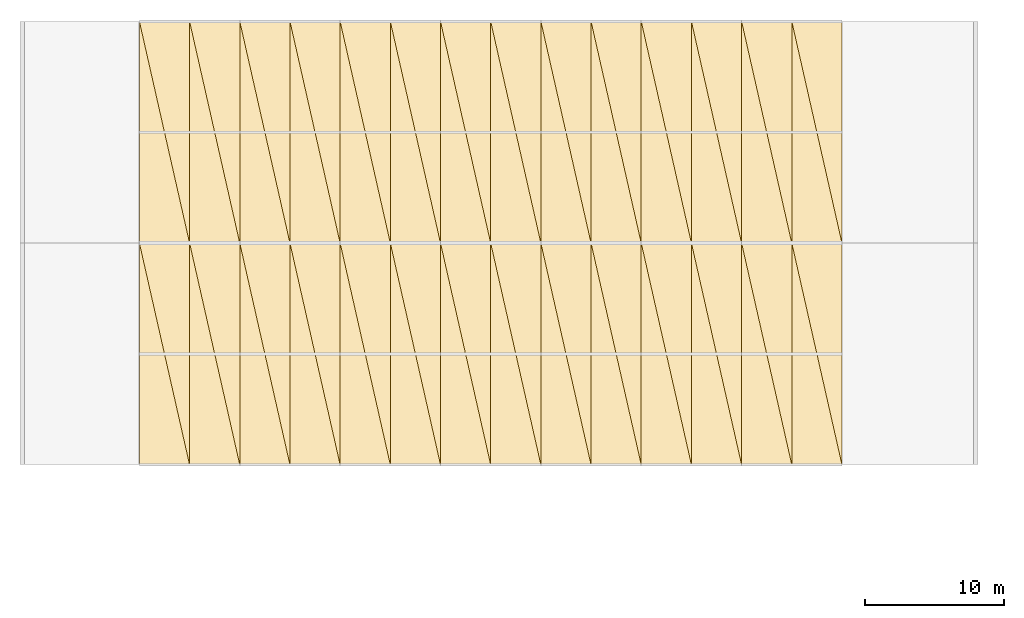
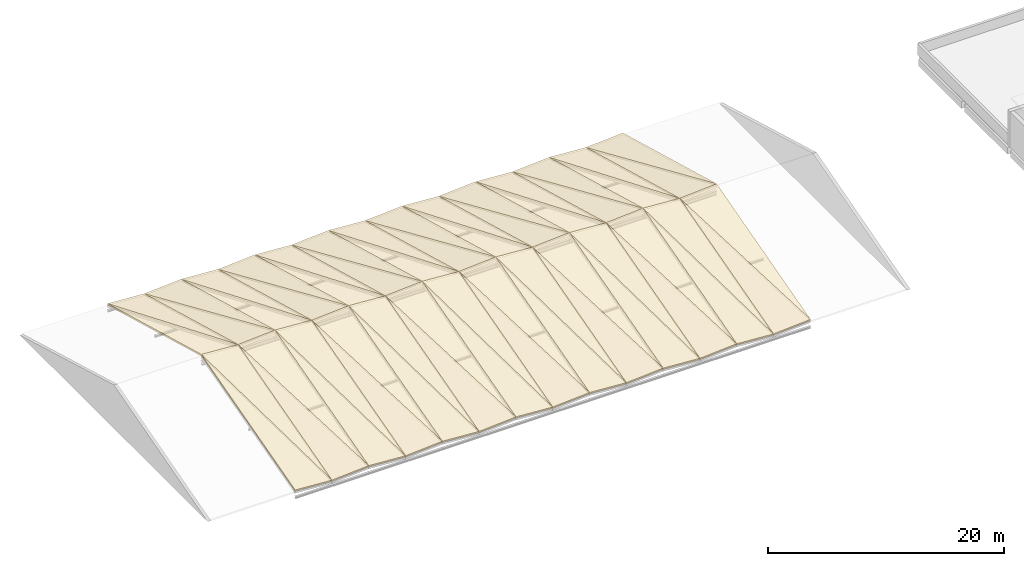
# One storey, part 5 of 6: 56 coverings.
"""IFC4 building model written with IfcOpenShell, lengths in metres."""

from ifc_helpers import new_model, si_unit, direction, frame, origin, place, context, subcontext, project, spatial, polyline, outline, extrude, material, layer, layer_set, type_object, element, save


model = new_model("IFC4")

# Units and contexts
model_context = context("Model", 3, precision=1e-05, world=origin(), true_north=direction((0.0, 1.0)))
body_context = subcontext(model_context, "Body", "Model", "MODEL_VIEW")
ifc_project = project(units=[si_unit("LENGTHUNIT", "METRE"), si_unit("AREAUNIT", "SQUARE_METRE"), si_unit("VOLUMEUNIT", "CUBIC_METRE"), si_unit("PLANEANGLEUNIT", "RADIAN"), si_unit("MASSUNIT", "GRAM", prefix="KILO")], contexts=[model_context])

# Site, building, storey
site_placement = place(None, origin())
site = spatial("IfcSite", under=ifc_project, at=site_placement, CompositionType="ELEMENT")
building_placement = place(site_placement, origin())
building = spatial("IfcBuilding", under=site, at=building_placement, Name="Pellamere Symphony Hall", CompositionType="ELEMENT")
storey_placement = place(building_placement, frame((0.0, 0.0, 28.5)))
storey = spatial("IfcBuildingStorey", under=building, at=storey_placement, Name="RF", CompositionType="ELEMENT", Elevation=28.5)

# Coverings
ifc_material = material(Name="Standing-Seam Pre-Weathered Zinc Acoustic Roof Assembly", Category="aluminium")
ifc_layer = layer(ifc_material, 0.159912109375, Name="Standing-Seam Pre-Weathered Zinc Acoustic Roof Assembly")
ifc_layer_set = layer_set([ifc_layer], Name="Standing-Seam Pre-Weathered Zinc Acoustic Roof Assembly")
covering_type = type_object("IfcCoveringType", Name="Envelope Covering RC-01 160mm", PredefinedType="ROOFING", material=ifc_layer_set)
covering_1_placement = place(storey_placement, frame((58.800048828125, 45.89990234375, 1.780029296875), z_axis=(0.064140420191, -0.265023524397, 0.962106302866), x_axis=(0.997785157857, 0.0, -0.066519010524)))
element("IfcCovering", 1, at=covering_1_placement, inside=storey, type_object=covering_type, Name="Standing-Seam Zinc Crystal Roof Cladding 1.5", PredefinedType="ROOFING", context=body_context, shape_type="SweptSolid", body=[
    extrude(outline(polyline([(0.0, 0.0), (3.6078443212745532, -1.3877787807814457e-17), (-0.29134547089758406, 16.489789249484154), (0.0, 0.0)])), origin(), (0.0, 0.0, -1.0), 0.159912109375),
])
covering_2_placement = place(storey_placement, frame((62.39990234375, 45.89990234375, 1.5400390625), z_axis=(0.064140420191, -0.265023524397, 0.962106302866), x_axis=(0.0, 0.964091479763, 0.265570364779)))
element("IfcCovering", 2, at=covering_2_placement, inside=storey, type_object=covering_type, Name="Standing-Seam Zinc Crystal Roof Cladding 1.6", PredefinedType="ROOFING", context=body_context, shape_type="SweptSolid", body=[
    extrude(outline(polyline([(0.0, 0.0), (16.49236282877064, 0.0), (16.556097122856947, 3.6072813289665056), (0.0, 0.0)])), origin(), (0.0, 0.0, -1.0), 0.159912109375),
])
covering_3_placement = place(storey_placement, frame((62.39990234375, 45.89990234375, 1.5400390625), z_axis=(-0.064136088401, -0.265023598334, 0.962106571275), x_axis=(0.997785457248, 0.0, 0.066514519495)))
element("IfcCovering", 3, at=covering_3_placement, inside=storey, type_object=covering_type, Name="Standing-Seam Zinc Crystal Roof Cladding 1.7", PredefinedType="ROOFING", context=body_context, shape_type="SweptSolid", body=[
    extrude(outline(polyline([(0.0, 0.0), (3.608087921203156, -1.3877787807814457e-17), (0.29132580071840347, 16.48978959700976), (0.0, 0.0)])), origin(), (0.0, 0.0, -1.0), 0.159912109375),
])
covering_4_placement = place(storey_placement, frame((66.0, 45.89990234375, 1.780029296875), z_axis=(-0.064136088401, -0.265023598334, 0.962106571275), x_axis=(0.0, 0.964091479763, 0.265570364779)))
element("IfcCovering", 4, at=covering_4_placement, inside=storey, type_object=covering_type, Name="Standing-Seam Zinc Crystal Roof Cladding 1.8", PredefinedType="ROOFING", context=body_context, shape_type="SweptSolid", body=[
    extrude(outline(polyline([(0.0, 0.0), (16.49236282877064, 0.0), (16.42862853468434, 3.607524966911446), (0.0, 0.0)])), origin(), (0.0, 0.0, -1.0), 0.159912109375),
])
covering_5_placement = place(storey_placement, frame((58.800048828125, 61.800048828125, 6.159912109375), z_axis=(0.064140351016, 0.265027307963, 0.962105265241), x_axis=(0.997785157857, 0.0, -0.066519010524)))
element("IfcCovering", 5, at=covering_5_placement, inside=storey, type_object=covering_type, Name="Standing-Seam Zinc Crystal Roof Cladding 1.9", PredefinedType="ROOFING", context=body_context, shape_type="SweptSolid", body=[
    extrude(outline(polyline([(0.0, 0.0), (3.6078443212745532, 1.3877787807814457e-17), (0.29134547089758406, 16.489553838979607), (0.0, 0.0)])), origin(), (0.0, 0.0, -1.0), 0.159912109375),
])
covering_6_placement = place(storey_placement, frame((62.39990234375, 61.800048828125, 5.919921875), z_axis=(0.064140351016, 0.265027307963, 0.962105265241), x_axis=(0.0, 0.964090435702, -0.265574154969)))
element("IfcCovering", 6, at=covering_6_placement, inside=storey, type_object=covering_type, Name="Standing-Seam Zinc Crystal Roof Cladding 1.10", PredefinedType="ROOFING", context=body_context, shape_type="SweptSolid", body=[
    extrude(outline(polyline([(0.0, 0.0), (16.492127455001665, 5.551115123125783e-17), (16.428392251306757, 3.607281312895213), (0.0, 0.0)])), origin(), (0.0, 0.0, -1.0), 0.159912109375),
])
covering_7_placement = place(storey_placement, frame((62.39990234375, 61.800048828125, 5.919921875), z_axis=(-0.064136019231, 0.265027381901, 0.96210553365), x_axis=(0.997785457248, 0.0, 0.066514519495)))
element("IfcCovering", 7, at=covering_7_placement, inside=storey, type_object=covering_type, Name="Standing-Seam Zinc Crystal Roof Cladding 1.11", PredefinedType="ROOFING", context=body_context, shape_type="SweptSolid", body=[
    extrude(outline(polyline([(0.0, 0.0), (3.608087921203156, 0.0), (-0.29132580071840347, 16.48955418651018), (0.0, 0.0)])), origin(), (0.0, 0.0, -1.0), 0.159912109375),
])
covering_8_placement = place(storey_placement, frame((66.0, 61.800048828125, 6.159912109375), z_axis=(-0.064136019231, 0.265027381901, 0.96210553365), x_axis=(0.0, 0.964090435702, -0.265574154969)))
element("IfcCovering", 8, at=covering_8_placement, inside=storey, type_object=covering_type, Name="Standing-Seam Zinc Crystal Roof Cladding 1.12", PredefinedType="ROOFING", context=body_context, shape_type="SweptSolid", body=[
    extrude(outline(polyline([(0.0, 0.0), (16.492127455001665, -5.551115123125783e-17), (16.555862658696572, 3.6075249508412384), (0.0, 0.0)])), origin(), (0.0, 0.0, -1.0), 0.159912109375),
])
covering_9_placement = place(storey_placement, frame((66.0, 45.89990234375, 1.780029296875), z_axis=(0.064136088401, -0.265023598334, 0.962106571275), x_axis=(0.997785457248, 0.0, -0.066514519495)))
element("IfcCovering", 9, at=covering_9_placement, inside=storey, type_object=covering_type, Name="Standing-Seam Zinc Crystal Roof Cladding 2.5", PredefinedType="ROOFING", context=body_context, shape_type="SweptSolid", body=[
    extrude(outline(polyline([(0.0, 0.0), (3.608087921203156, 1.3877787807814457e-17), (-0.29132580071840347, 16.48978959700976), (0.0, 0.0)])), origin(), (0.0, 0.0, -1.0), 0.159912109375),
])
covering_10_placement = place(storey_placement, frame((69.60009765625, 45.89990234375, 1.5400390625), z_axis=(0.064136088401, -0.265023598334, 0.962106571275), x_axis=(0.0, 0.964091479763, 0.265570364779)))
element("IfcCovering", 10, at=covering_10_placement, inside=storey, type_object=covering_type, Name="Standing-Seam Zinc Crystal Roof Cladding 2.6", PredefinedType="ROOFING", context=body_context, shape_type="SweptSolid", body=[
    extrude(outline(polyline([(0.0, 0.0), (16.49236282877064, 0.0), (16.556097122856947, 3.607524966911446), (0.0, 0.0)])), origin(), (0.0, 0.0, -1.0), 0.159912109375),
])
covering_11_placement = place(storey_placement, frame((69.60009765625, 45.89990234375, 1.5400390625), z_axis=(-0.064140420191, -0.265023524397, 0.962106302866), x_axis=(0.997785157857, 0.0, 0.066519010524)))
element("IfcCovering", 11, at=covering_11_placement, inside=storey, type_object=covering_type, Name="Standing-Seam Zinc Crystal Roof Cladding 2.7", PredefinedType="ROOFING", context=body_context, shape_type="SweptSolid", body=[
    extrude(outline(polyline([(0.0, 0.0), (3.6078443212745532, 1.3877787807814457e-17), (0.29134547089758406, 16.489789249484154), (0.0, 0.0)])), origin(), (0.0, 0.0, -1.0), 0.159912109375),
])
covering_12_placement = place(storey_placement, frame((73.199951171875, 45.89990234375, 1.780029296875), z_axis=(-0.064140420191, -0.265023524397, 0.962106302866), x_axis=(0.0, 0.964091479763, 0.265570364779)))
element("IfcCovering", 12, at=covering_12_placement, inside=storey, type_object=covering_type, Name="Standing-Seam Zinc Crystal Roof Cladding 2.8", PredefinedType="ROOFING", context=body_context, shape_type="SweptSolid", body=[
    extrude(outline(polyline([(0.0, 0.0), (16.49236282877064, 0.0), (16.42862853468434, 3.607281328966506), (0.0, 0.0)])), origin(), (0.0, 0.0, -1.0), 0.159912109375),
])
covering_13_placement = place(storey_placement, frame((66.0, 61.800048828125, 6.159912109375), z_axis=(0.064136019231, 0.265027381901, 0.96210553365), x_axis=(0.997785457248, 0.0, -0.066514519495)))
element("IfcCovering", 13, at=covering_13_placement, inside=storey, type_object=covering_type, Name="Standing-Seam Zinc Crystal Roof Cladding 2.9", PredefinedType="ROOFING", context=body_context, shape_type="SweptSolid", body=[
    extrude(outline(polyline([(0.0, 0.0), (3.608087921203156, 0.0), (0.29132580071840347, 16.48955418651018), (0.0, 0.0)])), origin(), (0.0, 0.0, -1.0), 0.159912109375),
])
covering_14_placement = place(storey_placement, frame((69.60009765625, 61.800048828125, 5.919921875), z_axis=(0.064136019231, 0.265027381901, 0.96210553365), x_axis=(0.0, 0.964090435702, -0.265574154969)))
element("IfcCovering", 14, at=covering_14_placement, inside=storey, type_object=covering_type, Name="Standing-Seam Zinc Crystal Roof Cladding 2.10", PredefinedType="ROOFING", context=body_context, shape_type="SweptSolid", body=[
    extrude(outline(polyline([(0.0, 0.0), (16.492127455001665, 5.551115123125783e-17), (16.428392251306757, 3.607524950841238), (0.0, 0.0)])), origin(), (0.0, 0.0, -1.0), 0.159912109375),
])
covering_15_placement = place(storey_placement, frame((69.60009765625, 61.800048828125, 5.919921875), z_axis=(-0.064140351016, 0.265027307963, 0.962105265241), x_axis=(0.997785157857, 0.0, 0.066519010524)))
element("IfcCovering", 15, at=covering_15_placement, inside=storey, type_object=covering_type, Name="Standing-Seam Zinc Crystal Roof Cladding 2.11", PredefinedType="ROOFING", context=body_context, shape_type="SweptSolid", body=[
    extrude(outline(polyline([(0.0, 0.0), (3.6078443212745532, -1.3877787807814457e-17), (-0.29134547089758406, 16.489553838979607), (0.0, 0.0)])), origin(), (0.0, 0.0, -1.0), 0.159912109375),
])
covering_16_placement = place(storey_placement, frame((73.199951171875, 61.800048828125, 6.159912109375), z_axis=(-0.064140351016, 0.265027307963, 0.962105265241), x_axis=(0.0, 0.964090435702, -0.265574154969)))
element("IfcCovering", 16, at=covering_16_placement, inside=storey, type_object=covering_type, Name="Standing-Seam Zinc Crystal Roof Cladding 2.12", PredefinedType="ROOFING", context=body_context, shape_type="SweptSolid", body=[
    extrude(outline(polyline([(0.0, 0.0), (16.492127455001665, -5.551115123125783e-17), (16.555862658696572, 3.6072813128952124), (0.0, 0.0)])), origin(), (0.0, 0.0, -1.0), 0.159912109375),
])
covering_17_placement = place(storey_placement, frame((73.199951171875, 45.89990234375, 1.780029296875), z_axis=(0.064136088401, -0.265023598334, 0.962106571275), x_axis=(0.997785457248, 0.0, -0.066514519495)))
element("IfcCovering", 17, at=covering_17_placement, inside=storey, type_object=covering_type, Name="Standing-Seam Zinc Crystal Roof Cladding 3.5", PredefinedType="ROOFING", context=body_context, shape_type="SweptSolid", body=[
    extrude(outline(polyline([(0.0, 0.0), (3.608087921203156, 1.3877787807814457e-17), (-0.29132580071840347, 16.48978959700976), (0.0, 0.0)])), origin(), (0.0, 0.0, -1.0), 0.159912109375),
])
covering_18_placement = place(storey_placement, frame((76.800048828125, 45.89990234375, 1.5400390625), z_axis=(0.064136088401, -0.265023598334, 0.962106571275), x_axis=(0.0, 0.964091479763, 0.265570364779)))
element("IfcCovering", 18, at=covering_18_placement, inside=storey, type_object=covering_type, Name="Standing-Seam Zinc Crystal Roof Cladding 3.6", PredefinedType="ROOFING", context=body_context, shape_type="SweptSolid", body=[
    extrude(outline(polyline([(0.0, 0.0), (16.49236282877064, 0.0), (16.556097122856947, 3.607524966911446), (0.0, 0.0)])), origin(), (0.0, 0.0, -1.0), 0.159912109375),
])
covering_19_placement = place(storey_placement, frame((76.800048828125, 45.89990234375, 1.5400390625), z_axis=(-0.064140420191, -0.265023524397, 0.962106302866), x_axis=(0.997785157857, 0.0, 0.066519010524)))
element("IfcCovering", 19, at=covering_19_placement, inside=storey, type_object=covering_type, Name="Standing-Seam Zinc Crystal Roof Cladding 3.7", PredefinedType="ROOFING", context=body_context, shape_type="SweptSolid", body=[
    extrude(outline(polyline([(0.0, 0.0), (3.6078443212745532, 1.3877787807814457e-17), (0.29134547089758406, 16.489789249484154), (0.0, 0.0)])), origin(), (0.0, 0.0, -1.0), 0.159912109375),
])
covering_20_placement = place(storey_placement, frame((80.39990234375, 45.89990234375, 1.780029296875), z_axis=(-0.064140420191, -0.265023524397, 0.962106302866), x_axis=(0.0, 0.964091479763, 0.265570364779)))
element("IfcCovering", 20, at=covering_20_placement, inside=storey, type_object=covering_type, Name="Standing-Seam Zinc Crystal Roof Cladding 3.8", PredefinedType="ROOFING", context=body_context, shape_type="SweptSolid", body=[
    extrude(outline(polyline([(0.0, 0.0), (16.49236282877064, 0.0), (16.42862853468434, 3.607281328966506), (0.0, 0.0)])), origin(), (0.0, 0.0, -1.0), 0.159912109375),
])
covering_21_placement = place(storey_placement, frame((73.199951171875, 61.800048828125, 6.159912109375), z_axis=(0.064136019231, 0.265027381901, 0.96210553365), x_axis=(0.997785457248, 0.0, -0.066514519495)))
element("IfcCovering", 21, at=covering_21_placement, inside=storey, type_object=covering_type, Name="Standing-Seam Zinc Crystal Roof Cladding 3.9", PredefinedType="ROOFING", context=body_context, shape_type="SweptSolid", body=[
    extrude(outline(polyline([(0.0, 0.0), (3.608087921203156, 0.0), (0.29132580071840347, 16.48955418651018), (0.0, 0.0)])), origin(), (0.0, 0.0, -1.0), 0.159912109375),
])
covering_22_placement = place(storey_placement, frame((76.800048828125, 61.800048828125, 5.919921875), z_axis=(0.064136019231, 0.265027381901, 0.96210553365), x_axis=(0.0, 0.964090435702, -0.265574154969)))
element("IfcCovering", 22, at=covering_22_placement, inside=storey, type_object=covering_type, Name="Standing-Seam Zinc Crystal Roof Cladding 3.10", PredefinedType="ROOFING", context=body_context, shape_type="SweptSolid", body=[
    extrude(outline(polyline([(0.0, 0.0), (16.492127455001665, 5.551115123125783e-17), (16.428392251306757, 3.607524950841238), (0.0, 0.0)])), origin(), (0.0, 0.0, -1.0), 0.159912109375),
])
covering_23_placement = place(storey_placement, frame((76.800048828125, 61.800048828125, 5.919921875), z_axis=(-0.064140351016, 0.265027307963, 0.962105265241), x_axis=(0.997785157857, 0.0, 0.066519010524)))
element("IfcCovering", 23, at=covering_23_placement, inside=storey, type_object=covering_type, Name="Standing-Seam Zinc Crystal Roof Cladding 3.11", PredefinedType="ROOFING", context=body_context, shape_type="SweptSolid", body=[
    extrude(outline(polyline([(0.0, 0.0), (3.6078443212745532, -1.3877787807814457e-17), (-0.29134547089758406, 16.489553838979607), (0.0, 0.0)])), origin(), (0.0, 0.0, -1.0), 0.159912109375),
])
covering_24_placement = place(storey_placement, frame((80.39990234375, 61.800048828125, 6.159912109375), z_axis=(-0.064140351016, 0.265027307963, 0.962105265241), x_axis=(0.0, 0.964090435702, -0.265574154969)))
element("IfcCovering", 24, at=covering_24_placement, inside=storey, type_object=covering_type, Name="Standing-Seam Zinc Crystal Roof Cladding 3.12", PredefinedType="ROOFING", context=body_context, shape_type="SweptSolid", body=[
    extrude(outline(polyline([(0.0, 0.0), (16.492127455001665, -5.551115123125783e-17), (16.555862658696572, 3.6072813128952124), (0.0, 0.0)])), origin(), (0.0, 0.0, -1.0), 0.159912109375),
])
covering_25_placement = place(storey_placement, frame((80.39990234375, 45.89990234375, 1.780029296875), z_axis=(0.064136088401, -0.265023598334, 0.962106571275), x_axis=(0.997785457248, 0.0, -0.066514519495)))
element("IfcCovering", 25, at=covering_25_placement, inside=storey, type_object=covering_type, Name="Standing-Seam Zinc Crystal Roof Cladding 4.5", PredefinedType="ROOFING", context=body_context, shape_type="SweptSolid", body=[
    extrude(outline(polyline([(0.0, 0.0), (3.608087921203156, 1.3877787807814457e-17), (-0.29132580071840347, 16.48978959700976), (0.0, 0.0)])), origin(), (0.0, 0.0, -1.0), 0.159912109375),
])
covering_26_placement = place(storey_placement, frame((84.0, 45.89990234375, 1.5400390625), z_axis=(0.064136088401, -0.265023598334, 0.962106571275), x_axis=(0.0, 0.964091479763, 0.265570364779)))
element("IfcCovering", 26, at=covering_26_placement, inside=storey, type_object=covering_type, Name="Standing-Seam Zinc Crystal Roof Cladding 4.6", PredefinedType="ROOFING", context=body_context, shape_type="SweptSolid", body=[
    extrude(outline(polyline([(0.0, 0.0), (16.49236282877064, 0.0), (16.556097122856947, 3.607524966911446), (0.0, 0.0)])), origin(), (0.0, 0.0, -1.0), 0.159912109375),
])
covering_27_placement = place(storey_placement, frame((84.0, 45.89990234375, 1.5400390625), z_axis=(-0.064136088401, -0.265023598334, 0.962106571275), x_axis=(0.997785457248, 0.0, 0.066514519495)))
element("IfcCovering", 27, at=covering_27_placement, inside=storey, type_object=covering_type, Name="Standing-Seam Zinc Crystal Roof Cladding 4.7", PredefinedType="ROOFING", context=body_context, shape_type="SweptSolid", body=[
    extrude(outline(polyline([(0.0, 0.0), (3.608087921203156, -1.3877787807814457e-17), (0.29132580071840347, 16.48978959700976), (0.0, 0.0)])), origin(), (0.0, 0.0, -1.0), 0.159912109375),
])
covering_28_placement = place(storey_placement, frame((87.60009765625, 45.89990234375, 1.780029296875), z_axis=(-0.064136088401, -0.265023598334, 0.962106571275), x_axis=(0.0, 0.964091479763, 0.265570364779)))
element("IfcCovering", 28, at=covering_28_placement, inside=storey, type_object=covering_type, Name="Standing-Seam Zinc Crystal Roof Cladding 4.8", PredefinedType="ROOFING", context=body_context, shape_type="SweptSolid", body=[
    extrude(outline(polyline([(0.0, 0.0), (16.49236282877064, 0.0), (16.42862853468434, 3.607524966911446), (0.0, 0.0)])), origin(), (0.0, 0.0, -1.0), 0.159912109375),
])
covering_29_placement = place(storey_placement, frame((80.39990234375, 61.800048828125, 6.159912109375), z_axis=(0.064136019231, 0.265027381901, 0.96210553365), x_axis=(0.997785457248, 0.0, -0.066514519495)))
element("IfcCovering", 29, at=covering_29_placement, inside=storey, type_object=covering_type, Name="Standing-Seam Zinc Crystal Roof Cladding 4.9", PredefinedType="ROOFING", context=body_context, shape_type="SweptSolid", body=[
    extrude(outline(polyline([(0.0, 0.0), (3.608087921203156, 0.0), (0.29132580071840347, 16.48955418651018), (0.0, 0.0)])), origin(), (0.0, 0.0, -1.0), 0.159912109375),
])
covering_30_placement = place(storey_placement, frame((84.0, 61.800048828125, 5.919921875), z_axis=(0.064136019231, 0.265027381901, 0.96210553365), x_axis=(0.0, 0.964090435702, -0.265574154969)))
element("IfcCovering", 30, at=covering_30_placement, inside=storey, type_object=covering_type, Name="Standing-Seam Zinc Crystal Roof Cladding 4.10", PredefinedType="ROOFING", context=body_context, shape_type="SweptSolid", body=[
    extrude(outline(polyline([(0.0, 0.0), (16.492127455001665, 5.551115123125783e-17), (16.428392251306757, 3.607524950841238), (0.0, 0.0)])), origin(), (0.0, 0.0, -1.0), 0.159912109375),
])
covering_31_placement = place(storey_placement, frame((84.0, 61.800048828125, 5.919921875), z_axis=(-0.064136019231, 0.265027381901, 0.96210553365), x_axis=(0.997785457248, 0.0, 0.066514519495)))
element("IfcCovering", 31, at=covering_31_placement, inside=storey, type_object=covering_type, Name="Standing-Seam Zinc Crystal Roof Cladding 4.11", PredefinedType="ROOFING", context=body_context, shape_type="SweptSolid", body=[
    extrude(outline(polyline([(0.0, 0.0), (3.608087921203156, 0.0), (-0.29132580071840347, 16.48955418651018), (0.0, 0.0)])), origin(), (0.0, 0.0, -1.0), 0.159912109375),
])
covering_32_placement = place(storey_placement, frame((87.60009765625, 61.800048828125, 6.159912109375), z_axis=(-0.064136019231, 0.265027381901, 0.96210553365), x_axis=(0.0, 0.964090435702, -0.265574154969)))
element("IfcCovering", 32, at=covering_32_placement, inside=storey, type_object=covering_type, Name="Standing-Seam Zinc Crystal Roof Cladding 4.12", PredefinedType="ROOFING", context=body_context, shape_type="SweptSolid", body=[
    extrude(outline(polyline([(0.0, 0.0), (16.492127455001665, -5.551115123125783e-17), (16.555862658696572, 3.6075249508412384), (0.0, 0.0)])), origin(), (0.0, 0.0, -1.0), 0.159912109375),
])
covering_33_placement = place(storey_placement, frame((87.60009765625, 45.89990234375, 1.780029296875), z_axis=(0.064140420191, -0.265023524397, 0.962106302866), x_axis=(0.997785157857, 0.0, -0.066519010524)))
element("IfcCovering", 33, at=covering_33_placement, inside=storey, type_object=covering_type, Name="Standing-Seam Zinc Crystal Roof Cladding 5.5", PredefinedType="ROOFING", context=body_context, shape_type="SweptSolid", body=[
    extrude(outline(polyline([(0.0, 0.0), (3.6078443212745532, -1.3877787807814457e-17), (-0.29134547089758406, 16.489789249484154), (0.0, 0.0)])), origin(), (0.0, 0.0, -1.0), 0.159912109375),
])
covering_34_placement = place(storey_placement, frame((91.199951171875, 45.89990234375, 1.5400390625), z_axis=(0.064140420191, -0.265023524397, 0.962106302866), x_axis=(0.0, 0.964091479763, 0.265570364779)))
element("IfcCovering", 34, at=covering_34_placement, inside=storey, type_object=covering_type, Name="Standing-Seam Zinc Crystal Roof Cladding 5.6", PredefinedType="ROOFING", context=body_context, shape_type="SweptSolid", body=[
    extrude(outline(polyline([(0.0, 0.0), (16.49236282877064, 0.0), (16.556097122856947, 3.6072813289665056), (0.0, 0.0)])), origin(), (0.0, 0.0, -1.0), 0.159912109375),
])
covering_35_placement = place(storey_placement, frame((91.199951171875, 45.89990234375, 1.5400390625), z_axis=(-0.064136088401, -0.265023598334, 0.962106571275), x_axis=(0.997785457248, 0.0, 0.066514519495)))
element("IfcCovering", 35, at=covering_35_placement, inside=storey, type_object=covering_type, Name="Standing-Seam Zinc Crystal Roof Cladding 5.7", PredefinedType="ROOFING", context=body_context, shape_type="SweptSolid", body=[
    extrude(outline(polyline([(0.0, 0.0), (3.608087921203156, -1.3877787807814457e-17), (0.29132580071840347, 16.48978959700976), (0.0, 0.0)])), origin(), (0.0, 0.0, -1.0), 0.159912109375),
])
covering_36_placement = place(storey_placement, frame((94.800048828125, 45.89990234375, 1.780029296875), z_axis=(-0.064136088401, -0.265023598334, 0.962106571275), x_axis=(0.0, 0.964091479763, 0.265570364779)))
element("IfcCovering", 36, at=covering_36_placement, inside=storey, type_object=covering_type, Name="Standing-Seam Zinc Crystal Roof Cladding 5.8", PredefinedType="ROOFING", context=body_context, shape_type="SweptSolid", body=[
    extrude(outline(polyline([(0.0, 0.0), (16.49236282877064, 0.0), (16.42862853468434, 3.607524966911446), (0.0, 0.0)])), origin(), (0.0, 0.0, -1.0), 0.159912109375),
])
covering_37_placement = place(storey_placement, frame((87.60009765625, 61.800048828125, 6.159912109375), z_axis=(0.064140351016, 0.265027307963, 0.962105265241), x_axis=(0.997785157857, 0.0, -0.066519010524)))
element("IfcCovering", 37, at=covering_37_placement, inside=storey, type_object=covering_type, Name="Standing-Seam Zinc Crystal Roof Cladding 5.9", PredefinedType="ROOFING", context=body_context, shape_type="SweptSolid", body=[
    extrude(outline(polyline([(0.0, 0.0), (3.6078443212745532, 1.3877787807814457e-17), (0.29134547089758406, 16.489553838979607), (0.0, 0.0)])), origin(), (0.0, 0.0, -1.0), 0.159912109375),
])
covering_38_placement = place(storey_placement, frame((91.199951171875, 61.800048828125, 5.919921875), z_axis=(0.064140351016, 0.265027307963, 0.962105265241), x_axis=(0.0, 0.964090435702, -0.265574154969)))
element("IfcCovering", 38, at=covering_38_placement, inside=storey, type_object=covering_type, Name="Standing-Seam Zinc Crystal Roof Cladding 5.10", PredefinedType="ROOFING", context=body_context, shape_type="SweptSolid", body=[
    extrude(outline(polyline([(0.0, 0.0), (16.492127455001665, 5.551115123125783e-17), (16.428392251306757, 3.607281312895213), (0.0, 0.0)])), origin(), (0.0, 0.0, -1.0), 0.159912109375),
])
covering_39_placement = place(storey_placement, frame((91.199951171875, 61.800048828125, 5.919921875), z_axis=(-0.064136019231, 0.265027381901, 0.96210553365), x_axis=(0.997785457248, 0.0, 0.066514519495)))
element("IfcCovering", 39, at=covering_39_placement, inside=storey, type_object=covering_type, Name="Standing-Seam Zinc Crystal Roof Cladding 5.11", PredefinedType="ROOFING", context=body_context, shape_type="SweptSolid", body=[
    extrude(outline(polyline([(0.0, 0.0), (3.608087921203156, 0.0), (-0.29132580071840347, 16.48955418651018), (0.0, 0.0)])), origin(), (0.0, 0.0, -1.0), 0.159912109375),
])
covering_40_placement = place(storey_placement, frame((94.800048828125, 61.800048828125, 6.159912109375), z_axis=(-0.064136019231, 0.265027381901, 0.96210553365), x_axis=(0.0, 0.964090435702, -0.265574154969)))
element("IfcCovering", 40, at=covering_40_placement, inside=storey, type_object=covering_type, Name="Standing-Seam Zinc Crystal Roof Cladding 5.12", PredefinedType="ROOFING", context=body_context, shape_type="SweptSolid", body=[
    extrude(outline(polyline([(0.0, 0.0), (16.492127455001665, -5.551115123125783e-17), (16.555862658696572, 3.6075249508412384), (0.0, 0.0)])), origin(), (0.0, 0.0, -1.0), 0.159912109375),
])
covering_41_placement = place(storey_placement, frame((94.800048828125, 45.89990234375, 1.780029296875), z_axis=(0.064140420191, -0.265023524397, 0.962106302866), x_axis=(0.997785157857, 0.0, -0.066519010524)))
element("IfcCovering", 41, at=covering_41_placement, inside=storey, type_object=covering_type, Name="Standing-Seam Zinc Crystal Roof Cladding 6.5", PredefinedType="ROOFING", context=body_context, shape_type="SweptSolid", body=[
    extrude(outline(polyline([(0.0, 0.0), (3.6078443212745532, -1.3877787807814457e-17), (-0.29134547089758406, 16.489789249484154), (0.0, 0.0)])), origin(), (0.0, 0.0, -1.0), 0.159912109375),
])
covering_42_placement = place(storey_placement, frame((98.39990234375, 45.89990234375, 1.5400390625), z_axis=(0.064140420191, -0.265023524397, 0.962106302866), x_axis=(0.0, 0.964091479763, 0.265570364779)))
element("IfcCovering", 42, at=covering_42_placement, inside=storey, type_object=covering_type, Name="Standing-Seam Zinc Crystal Roof Cladding 6.6", PredefinedType="ROOFING", context=body_context, shape_type="SweptSolid", body=[
    extrude(outline(polyline([(0.0, 0.0), (16.49236282877064, 0.0), (16.556097122856947, 3.6072813289665056), (0.0, 0.0)])), origin(), (0.0, 0.0, -1.0), 0.159912109375),
])
covering_43_placement = place(storey_placement, frame((98.39990234375, 45.89990234375, 1.5400390625), z_axis=(-0.064136088401, -0.265023598334, 0.962106571275), x_axis=(0.997785457248, 0.0, 0.066514519495)))
element("IfcCovering", 43, at=covering_43_placement, inside=storey, type_object=covering_type, Name="Standing-Seam Zinc Crystal Roof Cladding 6.7", PredefinedType="ROOFING", context=body_context, shape_type="SweptSolid", body=[
    extrude(outline(polyline([(0.0, 0.0), (3.608087921203156, -1.3877787807814457e-17), (0.29132580071840347, 16.48978959700976), (0.0, 0.0)])), origin(), (0.0, 0.0, -1.0), 0.159912109375),
])
covering_44_placement = place(storey_placement, frame((102.0, 45.89990234375, 1.780029296875), z_axis=(-0.064136088401, -0.265023598334, 0.962106571275), x_axis=(0.0, 0.964091479763, 0.265570364779)))
element("IfcCovering", 44, at=covering_44_placement, inside=storey, type_object=covering_type, Name="Standing-Seam Zinc Crystal Roof Cladding 6.8", PredefinedType="ROOFING", context=body_context, shape_type="SweptSolid", body=[
    extrude(outline(polyline([(0.0, 0.0), (16.49236282877064, 0.0), (16.42862853468434, 3.607524966911446), (0.0, 0.0)])), origin(), (0.0, 0.0, -1.0), 0.159912109375),
])
covering_45_placement = place(storey_placement, frame((94.800048828125, 61.800048828125, 6.159912109375), z_axis=(0.064140351016, 0.265027307963, 0.962105265241), x_axis=(0.997785157857, 0.0, -0.066519010524)))
element("IfcCovering", 45, at=covering_45_placement, inside=storey, type_object=covering_type, Name="Standing-Seam Zinc Crystal Roof Cladding 6.9", PredefinedType="ROOFING", context=body_context, shape_type="SweptSolid", body=[
    extrude(outline(polyline([(0.0, 0.0), (3.6078443212745532, 1.3877787807814457e-17), (0.29134547089758406, 16.489553838979607), (0.0, 0.0)])), origin(), (0.0, 0.0, -1.0), 0.159912109375),
])
covering_46_placement = place(storey_placement, frame((98.39990234375, 61.800048828125, 5.919921875), z_axis=(0.064140351016, 0.265027307963, 0.962105265241), x_axis=(0.0, 0.964090435702, -0.265574154969)))
element("IfcCovering", 46, at=covering_46_placement, inside=storey, type_object=covering_type, Name="Standing-Seam Zinc Crystal Roof Cladding 6.10", PredefinedType="ROOFING", context=body_context, shape_type="SweptSolid", body=[
    extrude(outline(polyline([(0.0, 0.0), (16.492127455001665, 5.551115123125783e-17), (16.428392251306757, 3.607281312895213), (0.0, 0.0)])), origin(), (0.0, 0.0, -1.0), 0.159912109375),
])
covering_47_placement = place(storey_placement, frame((98.39990234375, 61.800048828125, 5.919921875), z_axis=(-0.064136019231, 0.265027381901, 0.96210553365), x_axis=(0.997785457248, 0.0, 0.066514519495)))
element("IfcCovering", 47, at=covering_47_placement, inside=storey, type_object=covering_type, Name="Standing-Seam Zinc Crystal Roof Cladding 6.11", PredefinedType="ROOFING", context=body_context, shape_type="SweptSolid", body=[
    extrude(outline(polyline([(0.0, 0.0), (3.608087921203156, 0.0), (-0.29132580071840347, 16.48955418651018), (0.0, 0.0)])), origin(), (0.0, 0.0, -1.0), 0.159912109375),
])
covering_48_placement = place(storey_placement, frame((102.0, 61.800048828125, 6.159912109375), z_axis=(-0.064136019231, 0.265027381901, 0.96210553365), x_axis=(0.0, 0.964090435702, -0.265574154969)))
element("IfcCovering", 48, at=covering_48_placement, inside=storey, type_object=covering_type, Name="Standing-Seam Zinc Crystal Roof Cladding 6.12", PredefinedType="ROOFING", context=body_context, shape_type="SweptSolid", body=[
    extrude(outline(polyline([(0.0, 0.0), (16.492127455001665, -5.551115123125783e-17), (16.555862658696572, 3.6075249508412384), (0.0, 0.0)])), origin(), (0.0, 0.0, -1.0), 0.159912109375),
])
covering_49_placement = place(storey_placement, frame((102.0, 45.89990234375, 1.780029296875), z_axis=(0.064136088401, -0.265023598334, 0.962106571275), x_axis=(0.997785457248, 0.0, -0.066514519495)))
element("IfcCovering", 49, at=covering_49_placement, inside=storey, type_object=covering_type, Name="Standing-Seam Zinc Crystal Roof Cladding 7.5", PredefinedType="ROOFING", context=body_context, shape_type="SweptSolid", body=[
    extrude(outline(polyline([(0.0, 0.0), (3.608087921203156, 1.3877787807814457e-17), (-0.29132580071840347, 16.48978959700976), (0.0, 0.0)])), origin(), (0.0, 0.0, -1.0), 0.159912109375),
])
covering_50_placement = place(storey_placement, frame((105.60009765625, 45.89990234375, 1.5400390625), z_axis=(0.064136088401, -0.265023598334, 0.962106571275), x_axis=(0.0, 0.964091479763, 0.265570364779)))
element("IfcCovering", 50, at=covering_50_placement, inside=storey, type_object=covering_type, Name="Standing-Seam Zinc Crystal Roof Cladding 7.6", PredefinedType="ROOFING", context=body_context, shape_type="SweptSolid", body=[
    extrude(outline(polyline([(0.0, 0.0), (16.49236282877064, 0.0), (16.556097122856947, 3.607524966911446), (0.0, 0.0)])), origin(), (0.0, 0.0, -1.0), 0.159912109375),
])
covering_51_placement = place(storey_placement, frame((105.60009765625, 45.89990234375, 1.5400390625), z_axis=(-0.064140420191, -0.265023524397, 0.962106302866), x_axis=(0.997785157857, 0.0, 0.066519010524)))
element("IfcCovering", 51, at=covering_51_placement, inside=storey, type_object=covering_type, Name="Standing-Seam Zinc Crystal Roof Cladding 7.7", PredefinedType="ROOFING", context=body_context, shape_type="SweptSolid", body=[
    extrude(outline(polyline([(0.0, 0.0), (3.6078443212745532, 1.3877787807814457e-17), (0.29134547089758406, 16.489789249484154), (0.0, 0.0)])), origin(), (0.0, 0.0, -1.0), 0.159912109375),
])
covering_52_placement = place(storey_placement, frame((109.199951171875, 45.89990234375, 1.780029296875), z_axis=(-0.064140420191, -0.265023524397, 0.962106302866), x_axis=(0.0, 0.964091479763, 0.265570364779)))
element("IfcCovering", 52, at=covering_52_placement, inside=storey, type_object=covering_type, Name="Standing-Seam Zinc Crystal Roof Cladding 7.8", PredefinedType="ROOFING", context=body_context, shape_type="SweptSolid", body=[
    extrude(outline(polyline([(0.0, 0.0), (16.49236282877064, 0.0), (16.42862853468434, 3.607281328966506), (0.0, 0.0)])), origin(), (0.0, 0.0, -1.0), 0.159912109375),
])
covering_53_placement = place(storey_placement, frame((102.0, 61.800048828125, 6.159912109375), z_axis=(0.064136019231, 0.265027381901, 0.96210553365), x_axis=(0.997785457248, 0.0, -0.066514519495)))
element("IfcCovering", 53, at=covering_53_placement, inside=storey, type_object=covering_type, Name="Standing-Seam Zinc Crystal Roof Cladding 7.9", PredefinedType="ROOFING", context=body_context, shape_type="SweptSolid", body=[
    extrude(outline(polyline([(0.0, 0.0), (3.608087921203156, 0.0), (0.29132580071840347, 16.48955418651018), (0.0, 0.0)])), origin(), (0.0, 0.0, -1.0), 0.159912109375),
])
covering_54_placement = place(storey_placement, frame((105.60009765625, 61.800048828125, 5.919921875), z_axis=(0.064136019231, 0.265027381901, 0.96210553365), x_axis=(0.0, 0.964090435702, -0.265574154969)))
element("IfcCovering", 54, at=covering_54_placement, inside=storey, type_object=covering_type, Name="Standing-Seam Zinc Crystal Roof Cladding 7.10", PredefinedType="ROOFING", context=body_context, shape_type="SweptSolid", body=[
    extrude(outline(polyline([(0.0, 0.0), (16.492127455001665, 5.551115123125783e-17), (16.428392251306757, 3.607524950841238), (0.0, 0.0)])), origin(), (0.0, 0.0, -1.0), 0.159912109375),
])
covering_55_placement = place(storey_placement, frame((105.60009765625, 61.800048828125, 5.919921875), z_axis=(-0.064140351016, 0.265027307963, 0.962105265241), x_axis=(0.997785157857, 0.0, 0.066519010524)))
element("IfcCovering", 55, at=covering_55_placement, inside=storey, type_object=covering_type, Name="Standing-Seam Zinc Crystal Roof Cladding 7.11", PredefinedType="ROOFING", context=body_context, shape_type="SweptSolid", body=[
    extrude(outline(polyline([(0.0, 0.0), (3.6078443212745532, -1.3877787807814457e-17), (-0.29134547089758406, 16.489553838979607), (0.0, 0.0)])), origin(), (0.0, 0.0, -1.0), 0.159912109375),
])
covering_56_placement = place(storey_placement, frame((109.199951171875, 61.800048828125, 6.159912109375), z_axis=(-0.064140351016, 0.265027307963, 0.962105265241), x_axis=(0.0, 0.964090435702, -0.265574154969)))
element("IfcCovering", 56, at=covering_56_placement, inside=storey, type_object=covering_type, Name="Standing-Seam Zinc Crystal Roof Cladding 7.12", PredefinedType="ROOFING", context=body_context, shape_type="SweptSolid", body=[
    extrude(outline(polyline([(0.0, 0.0), (16.492127455001665, -5.551115123125783e-17), (16.555862658696572, 3.6072813128952124), (0.0, 0.0)])), origin(), (0.0, 0.0, -1.0), 0.159912109375),
])

save(model, "model.ifc")
